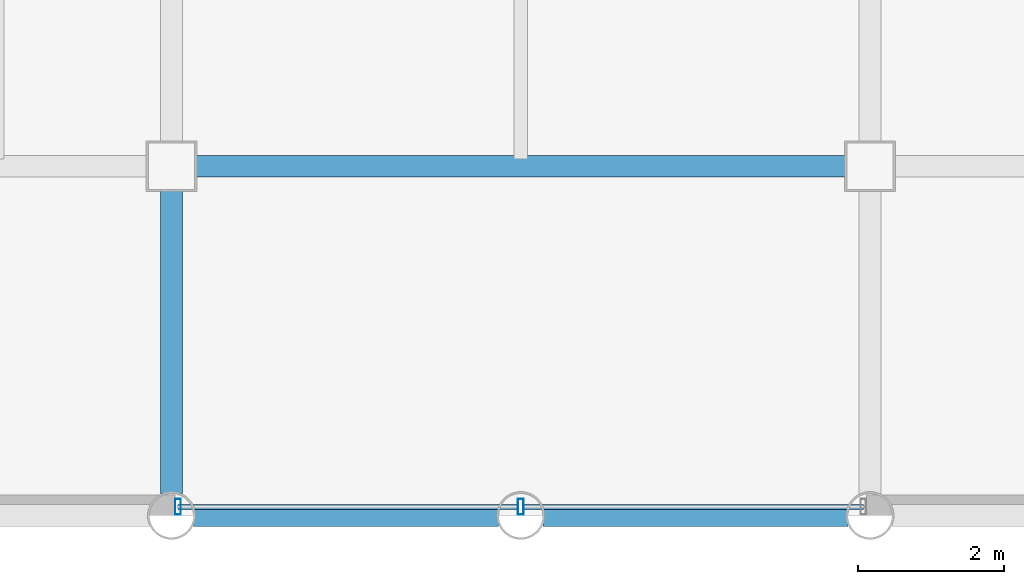
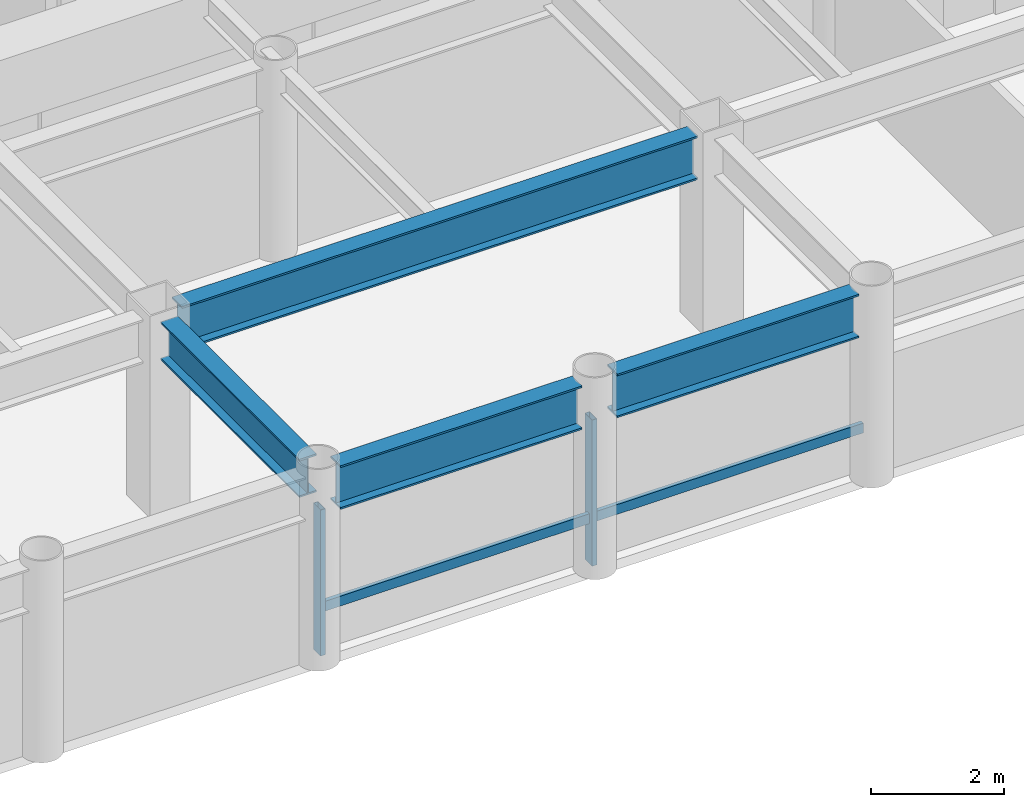
# One storey, part 2 of 20: 4 beams, 4 members, 1 element without a shape of its own.
"""IFC4 building model written with IfcOpenShell, lengths in metres."""

from ifc_helpers import new_model, si_unit, direction, frame, origin, origin_2d, place, context, subcontext, project, spatial, hollow_rectangle, i_section, extrude, material, layer, layer_set, material_profile, profile_set, type_object, element, aggregate, save


model = new_model("IFC4")

# Units and contexts
model_context = context("Model", 3, precision=1e-05, world=origin(), true_north=direction((0.0, 1.0)))
body_context = subcontext(model_context, "Body", "Model", "MODEL_VIEW")
ifc_project = project(units=[si_unit("LENGTHUNIT", "METRE"), si_unit("AREAUNIT", "SQUARE_METRE"), si_unit("VOLUMEUNIT", "CUBIC_METRE"), si_unit("PLANEANGLEUNIT", "RADIAN"), si_unit("MASSUNIT", "GRAM", prefix="KILO")], contexts=[model_context])

# Site, building, storey
site_placement = place(None, origin())
site = spatial("IfcSite", under=ifc_project, at=site_placement, CompositionType="ELEMENT")
building_placement = place(site_placement, origin())
building = spatial("IfcBuilding", under=site, at=building_placement, Name="Kallvorn Hotel Tower", CompositionType="ELEMENT")
storey_placement = place(building_placement, frame((0.0, 0.0, 98.89990234375)))
storey = spatial("IfcBuildingStorey", under=building, at=storey_placement, Name="L23", CompositionType="ELEMENT", Elevation=98.89990234375)

# Beams
ifc_material_1 = material(Name="Structural steel S355JR", Category="steel")
ifc_material_profile_1 = material_profile(ifc_material_1, i_section(OverallWidth=0.300048828125, OverallDepth=0.699951171875, WebThickness=0.01708984375, FlangeThickness=0.031982421875, at=origin_2d()), Name="HE 700 B")
ifc_profile_set_1 = profile_set([ifc_material_profile_1], Name="Structural steel S355JR")
beam_type_1 = type_object("IfcBeamType", Name="BM_HE700B", PredefinedType="BEAM", material=ifc_profile_set_1)
beam_1_placement = place(storey_placement, frame((-4.800048828125, -18.89501953125, 3.170166015625), z_axis=(0.0, 1.0, 0.0), x_axis=(-1.0, 0.0, 0.0)))
element("IfcBeam", 1, at=beam_1_placement, inside=storey, type_object=beam_type_1, Name="L24 Primary Y-Girder 105", PredefinedType="BEAM", context=body_context, shape_type="SweptSolid", body=[
    extrude(i_section(OverallWidth=0.300048828125, OverallDepth=0.699951171875, WebThickness=0.01708984375, FlangeThickness=0.031982421875, at=origin_2d()), origin(), (0.0, 0.0, 1.0), 4.169921875),
])
ifc_material_2 = material(Name="Structural steel S355JR", Category="steel")
ifc_material_profile_2 = material_profile(ifc_material_2, i_section(OverallWidth=0.300048828125, OverallDepth=0.800048828125, WebThickness=0.017578125, FlangeThickness=0.032958984375, at=origin_2d()), Name="HE 800 B")
ifc_profile_set_2 = profile_set([ifc_material_profile_2], Name="Structural steel S355JR")
beam_type_2 = type_object("IfcBeamType", Name="BM_HE800B", PredefinedType="BEAM", material=ifc_profile_set_2)
for number, where, z_axis, x_axis, name in (
    (2, (-4.4951171875, -19.199951171875, 3.1201171875), (1.0, 0.0, 0.0), (0.0, 1.0, 0.0), "L24 Primary X-Girder 06"),
    (3, (0.304931640625, -19.199951171875, 3.1201171875), (1.0, 0.0, 0.0), (0.0, 1.0, 0.0), "L24 Primary X-Girder 07"),
):
    element("IfcBeam", number, at=place(storey_placement, frame(where, z_axis=z_axis, x_axis=x_axis)), inside=storey, type_object=beam_type_2, Name=name, PredefinedType="BEAM", context=body_context, shape_type="SweptSolid", body=[
        extrude(i_section(OverallWidth=0.300048828125, OverallDepth=0.800048828125, WebThickness=0.017578125, FlangeThickness=0.032958984375, at=origin_2d()), origin(), (0.0, 0.0, 1.0), 4.190185546875),
    ])
beam_2_placement = place(storey_placement, frame((-4.47509765625, -14.39990234375, 3.1201171875), z_axis=(1.0, 0.0, 0.0), x_axis=(0.0, 1.0, 0.0)))
element("IfcBeam", 4, at=beam_2_placement, inside=storey, type_object=beam_type_2, Name="L24 Primary X-Girder 17", PredefinedType="BEAM", context=body_context, shape_type="SweptSolid", body=[
    extrude(i_section(OverallWidth=0.300048828125, OverallDepth=0.800048828125, WebThickness=0.017578125, FlangeThickness=0.032958984375, at=origin_2d()), origin(), (0.0, 0.0, 1.0), 8.9501953125),
])

# Curtain wall, members
ifc_material_3 = material(Name="Thermally broken black-anodised aluminium AA 6063-T6", Category="aluminium")
ifc_layer = layer(ifc_material_3, 0.199951171875)
ifc_layer_set = layer_set([ifc_layer], Name="CW_SYS_3_HOTEL_LOW")
curtain_wall_type = type_object("IfcCurtainWallType", Name="CW_SYS_3_HOTEL_LOW", PredefinedType="USERDEFINED", material=ifc_layer_set)
curtain_wall_placement = place(storey_placement, origin())
curtain_wall = element("IfcCurtainWall", 5, at=curtain_wall_placement, inside=storey, type_object=curtain_wall_type, Name="L23 Dark-Glass Curtain Wall CW-L23-SC", ObjectType="UNITISED CURTAIN WALL", PredefinedType="USERDEFINED")
ifc_material_4 = material(Name="Thermally broken black-anodised aluminium AA 6063-T6", Category="aluminium")
ifc_material_profile_3 = material_profile(ifc_material_4, hollow_rectangle(XDim=0.080078125, YDim=0.219970703125, WallThickness=0.0048828125, at=origin_2d()), Name="MUL 220x80")
ifc_profile_set_3 = profile_set([ifc_material_profile_3], Name="Thermally broken black-anodised aluminium AA 6063-T6")
member_type_1 = type_object("IfcMemberType", Name="CW_MULLION_220x80", PredefinedType="MULLION", material=ifc_profile_set_3)
member_1_placement = place(storey_placement, frame((-4.7099609375, -19.080078125, 0.02001953125), z_axis=(0.0, 0.0, 1.0), x_axis=(1.0, 0.0, 0.0)))
member_1 = element("IfcMember", 6, at=member_1_placement, type_object=member_type_1, Name="CW-L23-SC Mullion 00", PredefinedType="MULLION", context=body_context, shape_type="SweptSolid", body=[
    extrude(hollow_rectangle(XDim=0.080078125, YDim=0.219970703125, WallThickness=0.0048828125, at=origin_2d()), origin(), (0.0, 0.0, 1.0), 2.68017578125),
])
member_2_placement = place(storey_placement, frame((0.0, -19.080078125, 0.02001953125), z_axis=(0.0, 0.0, 1.0), x_axis=(1.0, 0.0, 0.0)))
member_2 = element("IfcMember", 7, at=member_2_placement, type_object=member_type_1, Name="CW-L23-SC Mullion 01", PredefinedType="MULLION", context=body_context, shape_type="SweptSolid", body=[
    extrude(hollow_rectangle(XDim=0.080078125, YDim=0.219970703125, WallThickness=0.0048828125, at=origin_2d()), origin(), (0.0, 0.0, 1.0), 2.68017578125),
])
ifc_material_5 = material(Name="Thermally broken black-anodised aluminium AA 6063-T6", Category="aluminium")
ifc_material_profile_4 = material_profile(ifc_material_5, hollow_rectangle(XDim=0.070068359375, YDim=0.179931640625, WallThickness=0.00390625, at=origin_2d()), Name="TRN 180x70")
ifc_profile_set_4 = profile_set([ifc_material_profile_4], Name="Thermally broken black-anodised aluminium AA 6063-T6")
member_type_2 = type_object("IfcMemberType", Name="CW_TRANSOM_180x70", PredefinedType="USERDEFINED", material=ifc_profile_set_4)
member_3_placement = place(storey_placement, frame((-4.7099609375, -19.080078125, 0.85009765625), z_axis=(1.0, 0.0, 0.0), x_axis=(0.0, 1.0, 0.0)))
member_3 = element("IfcMember", 8, at=member_3_placement, type_object=member_type_2, Name="CW-L23-SC Transom 00M", ObjectType="TRANSOM", PredefinedType="USERDEFINED", context=body_context, shape_type="SweptSolid", body=[
    extrude(hollow_rectangle(XDim=0.070068359375, YDim=0.179931640625, WallThickness=0.00390625, at=origin_2d()), origin(), (0.0, 0.0, 1.0), 4.669921875),
])
member_4_placement = place(storey_placement, frame((0.0400390625, -19.080078125, 0.85009765625), z_axis=(1.0, 0.0, 0.0), x_axis=(0.0, 1.0, 0.0)))
member_4 = element("IfcMember", 9, at=member_4_placement, type_object=member_type_2, Name="CW-L23-SC Transom 01M", ObjectType="TRANSOM", PredefinedType="USERDEFINED", context=body_context, shape_type="SweptSolid", body=[
    extrude(hollow_rectangle(XDim=0.070068359375, YDim=0.179931640625, WallThickness=0.00390625, at=origin_2d()), origin(), (0.0, 0.0, 1.0), 4.669921875),
])
aggregate(curtain_wall, [member_1, member_2, member_3, member_4])

save(model, "model.ifc")
